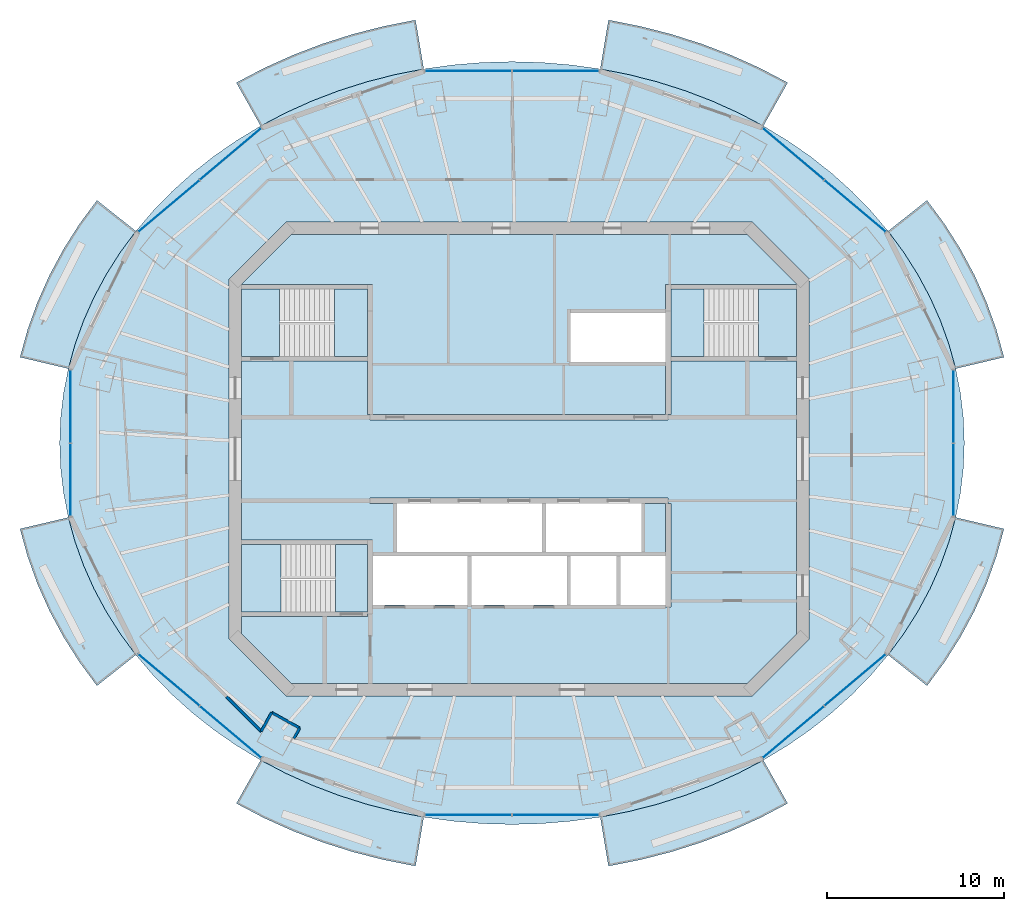
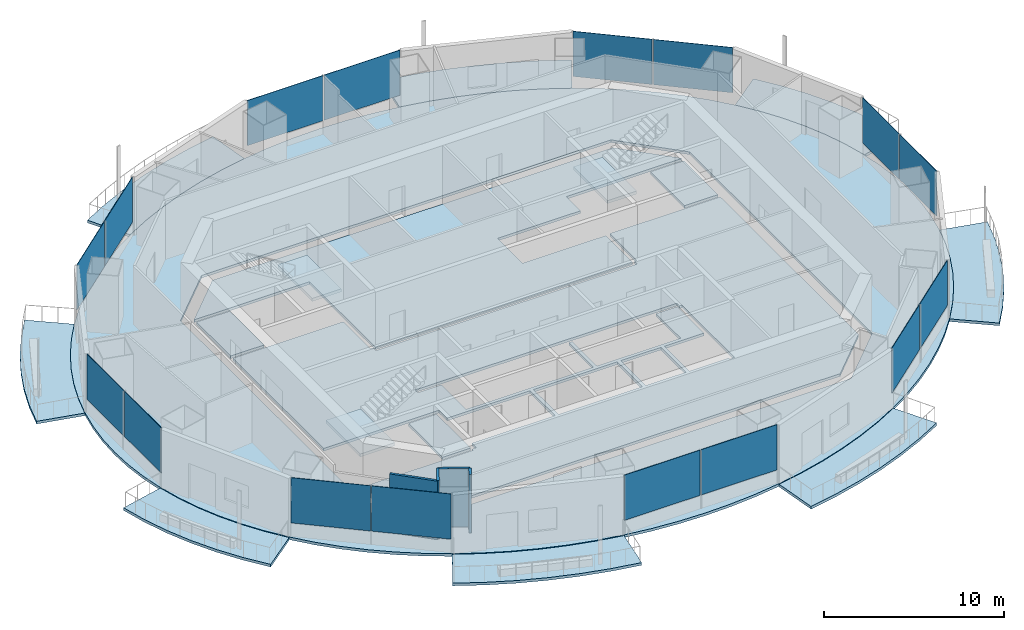
# One storey, part 7 of 15: 17 slabs, 16 plates, 4 walls, 11 elements without a shape of their own.
"""IFC4 building model written with IfcOpenShell, lengths in metres."""

import ifcopenshell
import ifcopenshell.guid

model = None  # the IFC model being written
_history = None  # IfcOwnerHistory: only IFC2X3 demands one
_inside = {}  # id of a spatial element -> (the spatial element, [elements in it])
_under = {}  # id of a project, library or spatial element -> (it, [spatial elements below it])
_declared = {}  # id of a project -> (the project, [libraries it declares])
_typed = {}  # id of a type object -> (the type object, [elements of that type])
_made_of = {}  # id of a material, layer set ... -> (it, [elements and type objects made of it])


def new_model(schema):
    """Start an empty IFC model of exactly this schema.

    Asked for "IFC4X3", IfcOpenShell would pick the latest addendum, in which some entities
    have other attributes; the version numbers below select the first issue.
    IFC2X3 requires an IfcOwnerHistory on every rooted entity: one is made here for all.
    """
    global model, _history
    if schema == "IFC4X3":
        model = ifcopenshell.file(schema_version=(4, 3, 0, 0))
    else:
        model = ifcopenshell.file(schema=schema)
    _inside.clear()
    _under.clear()
    _declared.clear()
    _typed.clear()
    _made_of.clear()
    _history = None
    if model.schema == "IFC2X3":
        org = make("IfcOrganization", Name="unknown")
        user = make(
            "IfcPersonAndOrganization",
            ThePerson=make("IfcPerson", FamilyName="unknown"),
            TheOrganization=org,
        )
        app = make(
            "IfcApplication",
            ApplicationDeveloper=org,
            Version="unknown",
            ApplicationFullName="unknown",
            ApplicationIdentifier="unknown",
        )
        _history = make(
            "IfcOwnerHistory",
            OwningUser=user,
            OwningApplication=app,
            ChangeAction="ADDED",
            CreationDate=0,
        )
    return model


def make(cls, **values):
    """One entity of the class cls with the attributes given. An attribute that is None is left unset."""
    return model.create_entity(
        cls, **{name: value for name, value in values.items() if value is not None}
    )


def rooted(cls, **values):
    """An entity with a GlobalId (a new one), such as an element, a storey or a relation."""
    return make(cls, GlobalId=ifcopenshell.guid.new(), OwnerHistory=_history, **values)


def si_unit(unit_type, name, prefix=None):
    """IfcSIUnit, for example si_unit("LENGTHUNIT", "METRE", prefix="MILLI")."""
    return make("IfcSIUnit", UnitType=unit_type, Prefix=prefix, Name=name)


def assignment(units):
    """IfcUnitAssignment: the units of a project."""
    return None if units is None else make("IfcUnitAssignment", Units=units)


def point(xyz):
    """IfcCartesianPoint."""
    return None if xyz is None else make("IfcCartesianPoint", Coordinates=xyz)


def direction(xyz):
    """IfcDirection."""
    return None if xyz is None else make("IfcDirection", DirectionRatios=xyz)


def frame(location, z_axis=None, x_axis=None):
    """IfcAxis2Placement3D, a coordinate frame: its origin and axes. An axis left out is left unset."""
    return make(
        "IfcAxis2Placement3D",
        Location=point(location),
        Axis=direction(z_axis),
        RefDirection=direction(x_axis),
    )


def frame_2d(location, x_axis=None):
    """IfcAxis2Placement2D, a coordinate frame in the plane: its origin and x axis."""
    return make(
        "IfcAxis2Placement2D", Location=point(location), RefDirection=direction(x_axis)
    )


def origin():
    """The frame at (0, 0, 0) with its axes left unset."""
    return frame((0.0, 0.0, 0.0))


def origin_2d():
    """The frame at (0, 0) in the plane with its x axis left unset."""
    return frame_2d((0.0, 0.0))


def place(relative_to, where):
    """IfcLocalPlacement: puts the frame where relative to a parent placement (None: the world)."""
    return make(
        "IfcLocalPlacement", PlacementRelTo=relative_to, RelativePlacement=where
    )


def context(
    kind, dimensions, precision=None, world=None, true_north=None, identifier=None
):
    """IfcGeometricRepresentationContext, for example the 3D "Model" context."""
    return make(
        "IfcGeometricRepresentationContext",
        ContextIdentifier=identifier,
        ContextType=kind,
        CoordinateSpaceDimension=dimensions,
        Precision=precision,
        WorldCoordinateSystem=world,
        TrueNorth=true_north,
    )


def subcontext(parent, identifier, kind, view, scale=None):
    """IfcGeometricRepresentationSubContext, for example "Body" below "Model"."""
    return make(
        "IfcGeometricRepresentationSubContext",
        ContextIdentifier=identifier,
        ContextType=kind,
        ParentContext=parent,
        TargetScale=scale,
        TargetView=view,
    )


def project(units=None, contexts=None):
    """IfcProject with its units and contexts."""
    return rooted(
        "IfcProject",
        Name="project",
        RepresentationContexts=contexts,
        UnitsInContext=assignment(units),
    )


def spatial(cls, under=None, at=None, **own):
    """A site, building, storey or space (cls), placed at a placement, below another one or the project."""
    s = rooted(cls, ObjectPlacement=at, **own)
    if under is not None:
        _under.setdefault(under.id(), (under, []))[1].append(s)
    return s


def polyline(points):
    """IfcPolyline through the points."""
    return make("IfcPolyline", Points=[point(p) for p in points])


def profile(cls, at=None, kind="AREA", **sizes):
    """A parametric profile (cls). Its sizes go by their IFC names, for example OverallWidth=200.0."""
    return make(cls, ProfileType=kind, Position=at, **sizes)


def rectangle(**sizes):
    """IfcRectangleProfileDef."""
    return profile("IfcRectangleProfileDef", **sizes)


def outline(outer, holes=None, kind="AREA"):
    """IfcArbitraryClosedProfileDef: a profile drawn as a closed curve; with holes, ...WithVoids."""
    if holes is None:
        return make("IfcArbitraryClosedProfileDef", ProfileType=kind, OuterCurve=outer)
    return make(
        "IfcArbitraryProfileDefWithVoids",
        ProfileType=kind,
        OuterCurve=outer,
        InnerCurves=holes,
    )


def extrude(swept, where, along, depth):
    """IfcExtrudedAreaSolid: the profile swept, set in the frame where, extruded along a direction by depth."""
    return make(
        "IfcExtrudedAreaSolid",
        SweptArea=swept,
        Position=where,
        ExtrudedDirection=direction(along),
        Depth=depth,
    )


def shape(context_of_items, identifier, shape_type, items):
    """IfcShapeRepresentation: the items that make up one representation, for example the "Body"."""
    return make(
        "IfcShapeRepresentation",
        ContextOfItems=context_of_items,
        RepresentationIdentifier=identifier,
        RepresentationType=shape_type,
        Items=items,
    )


def material(Name=None, Category=None):
    """IfcMaterial."""
    return make("IfcMaterial", Name=Name, Category=Category)


def layer(
    of_material, thickness, ventilated=None, Name=None, Category=None, Priority=None
):
    """IfcMaterialLayer: one layer of a wall or slab, of a material (None: an air gap)."""
    return make(
        "IfcMaterialLayer",
        Material=of_material,
        LayerThickness=thickness,
        IsVentilated=ventilated,
        Name=Name,
        Category=Category,
        Priority=Priority,
    )


def layer_set(layers, Name=None):
    """IfcMaterialLayerSet."""
    return make("IfcMaterialLayerSet", MaterialLayers=layers, LayerSetName=Name)


def made_of(thing, what):
    """Note that an element or type object is made of a material, layer set ...; save() writes the relation."""
    if what is not None:
        _made_of.setdefault(what.id(), (what, []))[1].append(thing)
    return thing


def type_object(cls, material=None, **own):
    """A type object (cls), such as IfcWallType, which elements share."""
    return made_of(rooted(cls, **own), material)


def element(
    cls,
    number,
    at=None,
    inside=None,
    cuts=None,
    type_object=None,
    material=None,
    context=None,
    identifier="Body",
    shape_type=None,
    held_by="IfcProductDefinitionShape",
    body=None,
    shapes=None,
    **own,
):
    """One element of the class cls, such as IfcWall. Its Tag is "e" and its number.

    at: its placement. inside: the storey or other place that contains it. cuts: it is an
    opening in that element (IfcRelVoidsElement). A single representation is given by context,
    identifier, shape_type and body (its items); several are given by shapes. held_by: the class
    of the entity that holds the representations. save() writes the other relations.
    """
    e = rooted(cls, Tag="e%d" % number, ObjectPlacement=at, **own)
    if body is not None:
        shapes = [shape(context, identifier, shape_type, body)]
    if shapes is not None:
        e.Representation = make(held_by, Representations=shapes)
    if inside is not None:
        _inside.setdefault(inside.id(), (inside, []))[1].append(e)
    if cuts is not None:
        rooted(
            "IfcRelVoidsElement", RelatingBuildingElement=cuts, RelatedOpeningElement=e
        )
    if type_object is not None:
        _typed.setdefault(type_object.id(), (type_object, []))[1].append(e)
    return made_of(e, material)


def aggregate(whole, parts):
    """IfcRelAggregates: a whole, such as a stair, and the parts it consists of."""
    return rooted("IfcRelAggregates", RelatingObject=whole, RelatedObjects=parts)


def save(model, path):
    """Write the relations noted so far, then the file.

    IfcRelAggregates (storeys below a building ...), IfcRelContainedInSpatialStructure (elements
    in a storey), IfcRelDefinesByType, IfcRelAssociatesMaterial and IfcRelDeclares: one each for
    every whole, place, type object, material and project.
    """
    for whole, parts in _under.values():
        aggregate(whole, parts)
    for where, things in _inside.values():
        rooted(
            "IfcRelContainedInSpatialStructure",
            RelatedElements=things,
            RelatingStructure=where,
        )
    for kind, things in _typed.values():
        rooted("IfcRelDefinesByType", RelatedObjects=things, RelatingType=kind)
    for what, things in _made_of.values():
        rooted("IfcRelAssociatesMaterial", RelatedObjects=things, RelatingMaterial=what)
    for by, libraries in _declared.values():
        rooted("IfcRelDeclares", RelatingContext=by, RelatedDefinitions=libraries)
    model.write(path)


model = new_model("IFC4")

# Units and contexts
model_context = context("Model", 3, precision=1e-05, world=origin(), true_north=direction((0.0, 1.0)))
body_context = subcontext(model_context, "Body", "Model", "MODEL_VIEW")
ifc_project = project(units=[si_unit("LENGTHUNIT", "METRE"), si_unit("AREAUNIT", "SQUARE_METRE"), si_unit("VOLUMEUNIT", "CUBIC_METRE"), si_unit("PLANEANGLEUNIT", "RADIAN"), si_unit("MASSUNIT", "GRAM", prefix="KILO")], contexts=[model_context])

# Site, building, storey
site_placement = place(None, origin())
site = spatial("IfcSite", under=ifc_project, at=site_placement, CompositionType="ELEMENT")
building_placement = place(site_placement, origin())
building = spatial("IfcBuilding", under=site, at=building_placement, Name="Marenthal Gate Tower", CompositionType="ELEMENT")
storey_placement = place(building_placement, frame((0.0, 0.0, 388.25)))
storey = spatial("IfcBuildingStorey", under=building, at=storey_placement, Name="L88", CompositionType="ELEMENT", Elevation=388.25)

# Slabs
ifc_material_1 = material(Name="Concrete 40 MPa", Category="concrete")
ifc_layer_1 = layer(ifc_material_1, 0.179931640625)
ifc_layer_set_1 = layer_set([ifc_layer_1], Name="Balcony deck 180")
slab_type_1 = type_object("IfcSlabType", Name="Balcony deck 180", PredefinedType="USERDEFINED", material=ifc_layer_set_1)
slab_1_placement = place(storey_placement, frame((0.0, 0.0, -0.219970703125)))
element("IfcSlab", 1, at=slab_1_placement, inside=storey, type_object=slab_type_1, Name="Balcony deck L88 bay 1", ObjectType="BALCONY", PredefinedType="USERDEFINED", context=body_context, shape_type="SweptSolid", body=[
    extrude(outline(polyline([(24.610107421875, 5.094482421875), (24.231201171875, 6.464599609375), (23.74658203125, 7.810791015625), (23.158935546875, 9.127685546875), (22.47021484375, 10.4091796875), (21.68359375, 11.64990234375), (20.802490234375, 12.8447265625), (22.996826171875, 14.583984375), (23.993896484375, 13.23193359375), (24.88720703125, 11.82275390625), (25.672119140625, 10.3623046875), (26.343994140625, 8.856689453125), (26.899658203125, 7.312744140625), (27.335205078125, 5.7373046875), (24.610107421875, 5.094482421875)])), origin(), (0.0, 0.0, 1.0), 0.179931640625),
])
slab_2_placement = place(storey_placement, frame((0.0, 0.0, -0.219970703125)))
element("IfcSlab", 2, at=slab_2_placement, inside=storey, type_object=slab_type_1, Name="Balcony deck L88 bay 3", ObjectType="BALCONY", PredefinedType="USERDEFINED", context=body_context, shape_type="SweptSolid", body=[
    extrude(outline(polyline([(13.76708984375, 18.776611328125), (12.35009765625, 19.51953125), (10.87841796875, 20.182861328125), (9.3583984375, 20.763427734375), (7.796630859375, 21.259033203125), (6.199951171875, 21.66748046875), (4.57470703125, 21.98681640625), (5.037841796875, 24.748291015625), (6.81689453125, 24.398681640625), (8.567138671875, 23.950927734375), (10.281494140625, 23.40673828125), (11.953369140625, 22.768310546875), (13.575439453125, 22.037109375), (15.141357421875, 21.216064453125), (13.76708984375, 18.776611328125)])), origin(), (0.0, 0.0, 1.0), 0.179931640625),
])
slab_3_placement = place(storey_placement, frame((0.0, 0.0, -0.219970703125)))
element("IfcSlab", 3, at=slab_3_placement, inside=storey, type_object=slab_type_1, Name="Balcony deck L88 bay 5", ObjectType="BALCONY", PredefinedType="USERDEFINED", context=body_context, shape_type="SweptSolid", body=[
    extrude(outline(polyline([(-5.374755859375, 21.98681640625), (-7.0, 21.66748046875), (-8.5966796875, 21.259033203125), (-10.158447265625, 20.763427734375), (-11.678466796875, 20.182861328125), (-13.14990234375, 19.51953125), (-14.56689453125, 18.776611328125), (-15.94140625, 21.216064453125), (-14.37548828125, 22.037109375), (-12.75341796875, 22.768310546875), (-11.08154296875, 23.40673828125), (-9.3671875, 23.950927734375), (-7.616943359375, 24.398681640625), (-5.837890625, 24.748291015625), (-5.374755859375, 21.98681640625)])), origin(), (0.0, 0.0, 1.0), 0.179931640625),
])
slab_4_placement = place(storey_placement, frame((0.0, 0.0, -0.219970703125)))
element("IfcSlab", 4, at=slab_4_placement, inside=storey, type_object=slab_type_1, Name="Balcony deck L88 bay 7", ObjectType="BALCONY", PredefinedType="USERDEFINED", context=body_context, shape_type="SweptSolid", body=[
    extrude(outline(polyline([(-21.6025390625, 12.8447265625), (-22.483642578125, 11.64990234375), (-23.270263671875, 10.4091796875), (-23.958984375, 9.127685546875), (-24.546630859375, 7.810791015625), (-25.031005859375, 6.464599609375), (-25.409912109375, 5.094482421875), (-28.13525390625, 5.7373046875), (-27.69970703125, 7.312744140625), (-27.14404296875, 8.856689453125), (-26.471923828125, 10.3623046875), (-25.687255859375, 11.82275390625), (-24.7939453125, 13.23193359375), (-23.796875, 14.583984375), (-21.6025390625, 12.8447265625)])), origin(), (0.0, 0.0, 1.0), 0.179931640625),
])
slab_5_placement = place(storey_placement, frame((0.0, 0.0, -0.219970703125)))
element("IfcSlab", 5, at=slab_5_placement, inside=storey, type_object=slab_type_1, Name="Balcony deck L88 bay 9", ObjectType="BALCONY", PredefinedType="USERDEFINED", context=body_context, shape_type="SweptSolid", body=[
    extrude(outline(polyline([(-25.409912109375, -3.29443359375), (-25.031005859375, -4.66455078125), (-24.546630859375, -6.010986328125), (-23.958984375, -7.32763671875), (-23.270263671875, -8.609130859375), (-22.483642578125, -9.85009765625), (-21.6025390625, -11.044921875), (-23.796875, -12.783935546875), (-24.7939453125, -11.431884765625), (-25.687255859375, -10.02294921875), (-26.471923828125, -8.562255859375), (-27.14404296875, -7.056640625), (-27.69970703125, -5.5126953125), (-28.13525390625, -3.937255859375), (-25.409912109375, -3.29443359375)])), origin(), (0.0, 0.0, 1.0), 0.179931640625),
])
slab_6_placement = place(storey_placement, frame((0.0, 0.0, -0.219970703125)))
element("IfcSlab", 6, at=slab_6_placement, inside=storey, type_object=slab_type_1, Name="Balcony deck L88 bay 11", ObjectType="BALCONY", PredefinedType="USERDEFINED", context=body_context, shape_type="SweptSolid", body=[
    extrude(outline(polyline([(-14.56689453125, -16.9765625), (-13.14990234375, -17.719482421875), (-11.678466796875, -18.3828125), (-10.158447265625, -18.96337890625), (-8.5966796875, -19.458984375), (-7.0, -19.867431640625), (-5.374755859375, -20.18701171875), (-5.837890625, -22.9482421875), (-7.616943359375, -22.5986328125), (-9.3671875, -22.15087890625), (-11.08154296875, -21.60693359375), (-12.75341796875, -20.96826171875), (-14.37548828125, -20.237060546875), (-15.94140625, -19.416015625), (-14.56689453125, -16.9765625)])), origin(), (0.0, 0.0, 1.0), 0.179931640625),
])
slab_7_placement = place(storey_placement, frame((0.0, 0.0, -0.219970703125)))
element("IfcSlab", 7, at=slab_7_placement, inside=storey, type_object=slab_type_1, Name="Balcony deck L88 bay 13", ObjectType="BALCONY", PredefinedType="USERDEFINED", context=body_context, shape_type="SweptSolid", body=[
    extrude(outline(polyline([(4.57470703125, -20.18701171875), (6.199951171875, -19.867431640625), (7.796630859375, -19.458984375), (9.3583984375, -18.96337890625), (10.87841796875, -18.3828125), (12.35009765625, -17.719482421875), (13.76708984375, -16.9765625), (15.141357421875, -19.416015625), (13.575439453125, -20.237060546875), (11.953369140625, -20.96826171875), (10.281494140625, -21.60693359375), (8.567138671875, -22.15087890625), (6.81689453125, -22.5986328125), (5.037841796875, -22.9482421875), (4.57470703125, -20.18701171875)])), origin(), (0.0, 0.0, 1.0), 0.179931640625),
])
slab_8_placement = place(storey_placement, frame((0.0, 0.0, -0.219970703125)))
element("IfcSlab", 8, at=slab_8_placement, inside=storey, type_object=slab_type_1, Name="Balcony deck L88 bay 15", ObjectType="BALCONY", PredefinedType="USERDEFINED", context=body_context, shape_type="SweptSolid", body=[
    extrude(outline(polyline([(20.802490234375, -11.044921875), (21.68359375, -9.85009765625), (22.47021484375, -8.609130859375), (23.158935546875, -7.32763671875), (23.74658203125, -6.010986328125), (24.231201171875, -4.66455078125), (24.610107421875, -3.29443359375), (27.335205078125, -3.937255859375), (26.899658203125, -5.5126953125), (26.343994140625, -7.056640625), (25.672119140625, -8.562255859375), (24.88720703125, -10.02294921875), (23.993896484375, -11.431884765625), (22.996826171875, -12.783935546875), (20.802490234375, -11.044921875)])), origin(), (0.0, 0.0, 1.0), 0.179931640625),
])
ifc_material_2 = material(Name="Concrete 50 MPa", Category="concrete")
ifc_layer_2 = layer(ifc_material_2, 0.179931640625)
ifc_layer_set_2 = layer_set([ifc_layer_2], Name="Core floor slab 180")
slab_type_2 = type_object("IfcSlabType", Name="Core floor slab 180", PredefinedType="FLOOR", material=ifc_layer_set_2)
slab_9_placement = place(storey_placement, frame((0.0, 0.0, -0.179931640625)))
element("IfcSlab", 9, at=slab_9_placement, inside=storey, type_object=slab_type_2, Name="Core floor L88", PredefinedType="FLOOR", context=body_context, shape_type="SweptSolid", body=[
    extrude(outline(polyline([(12.85498046875, -12.64990234375), (-12.85498046875, -12.64990234375), (-15.64990234375, -9.85498046875), (-15.64990234375, -8.875), (-8.550048828125, -8.875), (-8.550048828125, -8.75), (-8.25, -8.75), (-8.25, -8.239990234375), (-5.60009765625, -8.239990234375), (-2.909912109375, -8.239990234375), (-2.909912109375, -5.4599609375), (-5.60009765625, -5.4599609375), (-8.25, -5.4599609375), (-8.25, -4.574951171875), (-8.550048828125, -4.574951171875), (-15.64990234375, -4.574951171875), (-15.64990234375, 5.52490234375), (-8.550048828125, 5.52490234375), (-8.550048828125, 2.5), (-8.39990234375, 2.5), (-8.39990234375, 2.199951171875), (8.39990234375, 2.199951171875), (8.39990234375, 2.5), (8.550048828125, 2.5), (8.550048828125, 5.52490234375), (15.64990234375, 5.52490234375), (15.64990234375, -9.85498046875), (12.85498046875, -12.64990234375)]), holes=[polyline([(0.0, -8.239990234375), (2.68994140625, -8.239990234375), (2.68994140625, -5.4599609375), (0.0, -5.4599609375), (-2.68994140625, -5.4599609375), (-2.68994140625, -8.239990234375), (0.0, -8.239990234375)]), polyline([(1.2900390625, -5.239990234375), (1.2900390625, -2.5), (1.510009765625, -2.5), (1.510009765625, -5.239990234375), (4.199951171875, -5.239990234375), (6.889892578125, -5.239990234375), (6.889892578125, -2.5), (8.25, -2.5), (8.25, -5.4599609375), (5.7099609375, -5.4599609375), (5.7099609375, -8.239990234375), (8.25, -8.239990234375), (8.25, -8.35009765625), (8.550048828125, -8.35009765625), (8.550048828125, -2.5), (8.39990234375, -2.5), (8.39990234375, -2.199951171875), (-8.39990234375, -2.199951171875), (-8.39990234375, -2.5), (-6.889892578125, -2.5), (-6.889892578125, -5.239990234375), (-4.199951171875, -5.239990234375), (-1.39990234375, -5.239990234375), (1.2900390625, -5.239990234375)]), polyline([(5.489990234375, -5.4599609375), (2.909912109375, -5.4599609375), (2.909912109375, -8.239990234375), (5.489990234375, -8.239990234375), (5.489990234375, -5.4599609375)])]), origin(), (0.0, 0.0, 1.0), 0.179931640625),
])
slab_10_placement = place(storey_placement, frame((0.0, 0.0, -0.179931640625)))
element("IfcSlab", 10, at=slab_10_placement, inside=storey, type_object=slab_type_2, Name="Core floor L88", PredefinedType="FLOOR", context=body_context, shape_type="SweptSolid", body=[
    extrude(outline(polyline([(15.64990234375, 5.77490234375), (13.5, 5.77490234375), (13.5, 9.574951171875), (15.64990234375, 9.574951171875), (15.64990234375, 5.77490234375)])), origin(), (0.0, 0.0, 1.0), 0.179931640625),
])
slab_11_placement = place(storey_placement, frame((0.0, 0.0, -0.179931640625)))
element("IfcSlab", 11, at=slab_11_placement, inside=storey, type_object=slab_type_2, Name="Core floor L88", PredefinedType="FLOOR", context=body_context, shape_type="SweptSolid", body=[
    extrude(outline(polyline([(15.64990234375, 9.824951171875), (8.550048828125, 9.824951171875), (8.25, 9.824951171875), (8.25, 8.35009765625), (8.25, 8.239990234375), (5.60009765625, 8.239990234375), (2.909912109375, 8.239990234375), (2.909912109375, 5.4599609375), (5.60009765625, 5.4599609375), (8.25, 5.4599609375), (8.25, 2.5), (-8.25, 2.5), (-8.25, 8.35009765625), (-8.25, 9.824951171875), (-8.550048828125, 9.824951171875), (-15.64990234375, 9.824951171875), (-15.64990234375, 9.85498046875), (-12.85498046875, 12.64990234375), (12.85498046875, 12.64990234375), (15.64990234375, 9.85498046875), (15.64990234375, 9.824951171875)])), origin(), (0.0, 0.0, 1.0), 0.179931640625),
])
slab_12_placement = place(storey_placement, frame((0.0, 0.0, -0.179931640625)))
element("IfcSlab", 12, at=slab_12_placement, inside=storey, type_object=slab_type_2, Name="Core floor L88", PredefinedType="FLOOR", context=body_context, shape_type="SweptSolid", body=[
    extrude(outline(polyline([(-15.64990234375, 9.574951171875), (-13.5, 9.574951171875), (-13.5, 5.77490234375), (-15.64990234375, 5.77490234375), (-15.64990234375, 9.574951171875)])), origin(), (0.0, 0.0, 1.0), 0.179931640625),
])
slab_13_placement = place(storey_placement, frame((0.0, 0.0, -0.179931640625)))
element("IfcSlab", 13, at=slab_13_placement, inside=storey, type_object=slab_type_2, Name="Core floor L88", PredefinedType="FLOOR", context=body_context, shape_type="SweptSolid", body=[
    extrude(outline(polyline([(-8.550048828125, -4.824951171875), (-8.550048828125, -8.625), (-10.35009765625, -8.625), (-10.35009765625, -4.824951171875), (-8.550048828125, -4.824951171875)])), origin(), (0.0, 0.0, 1.0), 0.179931640625),
])
ifc_material_3 = material(Name="Concrete 35 MPa", Category="concrete")
ifc_layer_3 = layer(ifc_material_3, 0.179931640625)
ifc_layer_set_3 = layer_set([ifc_layer_3], Name="Floor slab 180")
slab_type_3 = type_object("IfcSlabType", Name="Floor slab 180", PredefinedType="FLOOR", material=ifc_layer_set_3)
slab_14_placement = place(storey_placement, frame((0.0, 0.0, -0.179931640625)))
element("IfcSlab", 14, at=slab_14_placement, inside=storey, type_object=slab_type_3, Name="SL-L88-01", PredefinedType="FLOOR", context=body_context, shape_type="SweptSolid", body=[
    extrude(outline(polyline([(25.10009765625, 0.89990234375), (25.04541015625, 2.30615234375), (24.8818359375, 3.706298828125), (24.610107421875, 5.094482421875), (24.231201171875, 6.464599609375), (23.74658203125, 7.810791015625), (23.158935546875, 9.127685546875), (22.47021484375, 10.4091796875), (21.68359375, 11.64990234375), (20.802490234375, 12.8447265625), (19.83056640625, 13.98828125), (18.77197265625, 15.075927734375), (17.631103515625, 16.102783203125), (16.413330078125, 17.064697265625), (15.123291015625, 17.95703125), (13.76708984375, 18.776611328125), (12.35009765625, 19.51953125), (10.87841796875, 20.182861328125), (9.3583984375, 20.763427734375), (7.796630859375, 21.259033203125), (6.199951171875, 21.66748046875), (4.57470703125, 21.98681640625), (2.928466796875, 22.216064453125), (1.267822265625, 22.35400390625), (-0.39990234375, 22.39990234375), (-2.06787109375, 22.35400390625), (-3.728515625, 22.216064453125), (-5.374755859375, 21.98681640625), (-7.0, 21.66748046875), (-8.5966796875, 21.259033203125), (-10.158447265625, 20.763427734375), (-11.678466796875, 20.182861328125), (-13.14990234375, 19.51953125), (-14.56689453125, 18.776611328125), (-15.92333984375, 17.95703125), (-17.21337890625, 17.064697265625), (-18.43115234375, 16.102783203125), (-19.572021484375, 15.075927734375), (-20.630615234375, 13.98828125), (-21.6025390625, 12.8447265625), (-22.483642578125, 11.64990234375), (-23.270263671875, 10.4091796875), (-23.958984375, 9.127685546875), (-24.546630859375, 7.810791015625), (-25.031005859375, 6.464599609375), (-25.409912109375, 5.094482421875), (-25.681884765625, 3.706298828125), (-25.845458984375, 2.30615234375), (-25.89990234375, 0.89990234375), (-25.845458984375, -0.506103515625), (-25.681884765625, -1.90625), (-25.409912109375, -3.29443359375), (-25.031005859375, -4.66455078125), (-24.546630859375, -6.010986328125), (-23.958984375, -7.32763671875), (-23.270263671875, -8.609130859375), (-22.483642578125, -9.85009765625), (-21.6025390625, -11.044921875), (-20.630615234375, -12.1884765625), (-19.572021484375, -13.27587890625), (-18.43115234375, -14.302734375), (-17.21337890625, -15.2646484375), (-15.92333984375, -16.156982421875), (-14.56689453125, -16.9765625), (-13.14990234375, -17.719482421875), (-11.678466796875, -18.3828125), (-10.158447265625, -18.96337890625), (-8.5966796875, -19.458984375), (-7.0, -19.867431640625), (-5.374755859375, -20.18701171875), (-3.728515625, -20.416015625), (-2.06787109375, -20.553955078125), (-0.39990234375, -20.60009765625), (1.267822265625, -20.553955078125), (2.928466796875, -20.416015625), (4.57470703125, -20.18701171875), (6.199951171875, -19.867431640625), (7.796630859375, -19.458984375), (9.3583984375, -18.96337890625), (10.87841796875, -18.3828125), (12.35009765625, -17.719482421875), (13.76708984375, -16.9765625), (15.123291015625, -16.156982421875), (16.413330078125, -15.2646484375), (17.631103515625, -14.302734375), (18.77197265625, -13.27587890625), (19.83056640625, -12.1884765625), (20.802490234375, -11.044921875), (21.68359375, -9.85009765625), (22.47021484375, -8.609130859375), (23.158935546875, -7.32763671875), (23.74658203125, -6.010986328125), (24.231201171875, -4.66455078125), (24.610107421875, -3.29443359375), (24.8818359375, -1.90625), (25.04541015625, -0.506103515625), (25.10009765625, 0.89990234375)]), holes=[polyline([(13.14501953125, -13.35009765625), (16.35009765625, -10.14501953125), (16.35009765625, 10.14501953125), (13.14501953125, 13.35009765625), (-13.14501953125, 13.35009765625), (-16.35009765625, 10.14501953125), (-16.35009765625, -10.14501953125), (-13.14501953125, -13.35009765625), (13.14501953125, -13.35009765625)])]), origin(), (0.0, 0.0, 1.0), 0.179931640625),
])

# Curtain wall, plates
ifc_material_4 = material(Name="Aluminium and glass", Category="aluminium")
curtain_wall_type = type_object("IfcCurtainWallType", Name="Curtain wall typical high", PredefinedType="NOTDEFINED", material=ifc_material_4)
curtain_wall_1_placement = place(storey_placement, origin())
curtain_wall_1 = element("IfcCurtainWall", 15, at=curtain_wall_1_placement, inside=storey, type_object=curtain_wall_type, Name="Curtain wall L88 bay 2", PredefinedType="NOTDEFINED")
ifc_material_5 = material(Name="Glass, laminated insulating unit", Category="glass")
ifc_layer_4 = layer(ifc_material_5, 0.031982421875)
ifc_layer_set_4 = layer_set([ifc_layer_4], Name="Glass panel 32 typical high")
plate_type = type_object("IfcPlateType", Name="Glass panel 32 typical high", PredefinedType="CURTAIN_PANEL", material=ifc_layer_set_4)
plate_1_placement = place(storey_placement, frame((18.940673828125, 14.262451171875, 0.89990234375), z_axis=(0.0, 0.0, 1.0), x_axis=(-0.764802142616, 0.644265226944, 0.0)))
plate_1 = element("IfcPlate", 16, at=plate_1_placement, type_object=plate_type, Name="Glass panel L88 bay 2.1", PredefinedType="CURTAIN_PANEL", context=body_context, shape_type="SweptSolid", body=[
    extrude(rectangle(XDim=4.48779296875, YDim=0.031982421875, at=origin_2d()), origin(), (0.0, 0.0, 1.0), 3.070068359375),
])
plate_2_placement = place(storey_placement, frame((15.46240234375, 17.1923828125, 0.89990234375), z_axis=(0.0, 0.0, 1.0), x_axis=(-0.764802142616, 0.644265226944, 0.0)))
plate_2 = element("IfcPlate", 17, at=plate_2_placement, type_object=plate_type, Name="Glass panel L88 bay 2.2", PredefinedType="CURTAIN_PANEL", context=body_context, shape_type="SweptSolid", body=[
    extrude(rectangle(XDim=4.48779296875, YDim=0.031982421875, at=origin_2d()), origin(), (0.0, 0.0, 1.0), 3.070068359375),
])
aggregate(curtain_wall_1, [plate_1, plate_2])

curtain_wall_2_placement = place(storey_placement, origin())
curtain_wall_2 = element("IfcCurtainWall", 18, at=curtain_wall_2_placement, inside=storey, type_object=curtain_wall_type, Name="Curtain wall L88 bay 4", PredefinedType="NOTDEFINED")
plate_3_placement = place(storey_placement, frame((2.060791015625, 21.869140625, 0.89990234375), z_axis=(0.0, 0.0, 1.0), x_axis=(-1.0, 0.0, 0.0)))
plate_3 = element("IfcPlate", 19, at=plate_3_placement, type_object=plate_type, Name="Glass panel L88 bay 4.1", PredefinedType="CURTAIN_PANEL", context=body_context, shape_type="SweptSolid", body=[
    extrude(rectangle(XDim=4.861328125, YDim=0.031982421875, at=origin_2d()), origin(), (0.0, 0.0, 1.0), 3.070068359375),
])
plate_4_placement = place(storey_placement, frame((-2.860595703125, 21.869140625, 0.89990234375), z_axis=(0.0, 0.0, 1.0), x_axis=(-1.0, 0.0, 0.0)))
plate_4 = element("IfcPlate", 20, at=plate_4_placement, type_object=plate_type, Name="Glass panel L88 bay 4.2", PredefinedType="CURTAIN_PANEL", context=body_context, shape_type="SweptSolid", body=[
    extrude(rectangle(XDim=4.861328125, YDim=0.031982421875, at=origin_2d()), origin(), (0.0, 0.0, 1.0), 3.070068359375),
])
aggregate(curtain_wall_2, [plate_3, plate_4])

curtain_wall_3_placement = place(storey_placement, origin())
curtain_wall_3 = element("IfcCurtainWall", 21, at=curtain_wall_3_placement, inside=storey, type_object=curtain_wall_type, Name="Curtain wall L88 bay 6", PredefinedType="NOTDEFINED")
plate_5_placement = place(storey_placement, frame((-16.262451171875, 17.1923828125, 0.89990234375), z_axis=(0.0, 0.0, 1.0), x_axis=(-0.764802142616, -0.644265226944, 0.0)))
plate_5 = element("IfcPlate", 22, at=plate_5_placement, type_object=plate_type, Name="Glass panel L88 bay 6.1", PredefinedType="CURTAIN_PANEL", context=body_context, shape_type="SweptSolid", body=[
    extrude(rectangle(XDim=4.48779296875, YDim=0.031982421875, at=origin_2d()), origin(), (0.0, 0.0, 1.0), 3.070068359375),
])
plate_6_placement = place(storey_placement, frame((-19.74072265625, 14.262451171875, 0.89990234375), z_axis=(0.0, 0.0, 1.0), x_axis=(-0.764802142616, -0.644265226944, 0.0)))
plate_6 = element("IfcPlate", 23, at=plate_6_placement, type_object=plate_type, Name="Glass panel L88 bay 6.2", PredefinedType="CURTAIN_PANEL", context=body_context, shape_type="SweptSolid", body=[
    extrude(rectangle(XDim=4.48779296875, YDim=0.031982421875, at=origin_2d()), origin(), (0.0, 0.0, 1.0), 3.070068359375),
])
aggregate(curtain_wall_3, [plate_5, plate_6])

curtain_wall_4_placement = place(storey_placement, origin())
curtain_wall_4 = element("IfcCurtainWall", 24, at=curtain_wall_4_placement, inside=storey, type_object=curtain_wall_type, Name="Curtain wall L88 bay 8", PredefinedType="NOTDEFINED")
plate_7_placement = place(storey_placement, frame((-25.292236328125, 2.970458984375, 0.89990234375), z_axis=(0.0, 0.0, 1.0), x_axis=(0.0, -1.0, 0.0)))
plate_7 = element("IfcPlate", 25, at=plate_7_placement, type_object=plate_type, Name="Glass panel L88 bay 8.1", PredefinedType="CURTAIN_PANEL", context=body_context, shape_type="SweptSolid", body=[
    extrude(rectangle(XDim=4.0810546875, YDim=0.031982421875, at=origin_2d()), origin(), (0.0, 0.0, 1.0), 3.070068359375),
])
plate_8_placement = place(storey_placement, frame((-25.292236328125, -1.17041015625, 0.89990234375), z_axis=(0.0, 0.0, 1.0), x_axis=(0.0, -1.0, 0.0)))
plate_8 = element("IfcPlate", 26, at=plate_8_placement, type_object=plate_type, Name="Glass panel L88 bay 8.2", PredefinedType="CURTAIN_PANEL", context=body_context, shape_type="SweptSolid", body=[
    extrude(rectangle(XDim=4.0810546875, YDim=0.031982421875, at=origin_2d()), origin(), (0.0, 0.0, 1.0), 3.070068359375),
])
aggregate(curtain_wall_4, [plate_7, plate_8])

curtain_wall_5_placement = place(storey_placement, origin())
curtain_wall_5 = element("IfcCurtainWall", 27, at=curtain_wall_5_placement, inside=storey, type_object=curtain_wall_type, Name="Curtain wall L88 bay 10", PredefinedType="NOTDEFINED")
plate_9_placement = place(storey_placement, frame((-19.74072265625, -12.46240234375, 0.89990234375), z_axis=(0.0, 0.0, 1.0), x_axis=(0.764802142616, -0.644265226944, 0.0)))
plate_9 = element("IfcPlate", 28, at=plate_9_placement, type_object=plate_type, Name="Glass panel L88 bay 10.1", PredefinedType="CURTAIN_PANEL", context=body_context, shape_type="SweptSolid", body=[
    extrude(rectangle(XDim=4.48779296875, YDim=0.031982421875, at=origin_2d()), origin(), (0.0, 0.0, 1.0), 3.070068359375),
])
plate_10_placement = place(storey_placement, frame((-16.262451171875, -15.392578125, 0.89990234375), z_axis=(0.0, 0.0, 1.0), x_axis=(0.764802142616, -0.644265226944, 0.0)))
plate_10 = element("IfcPlate", 29, at=plate_10_placement, type_object=plate_type, Name="Glass panel L88 bay 10.2", PredefinedType="CURTAIN_PANEL", context=body_context, shape_type="SweptSolid", body=[
    extrude(rectangle(XDim=4.48779296875, YDim=0.031982421875, at=origin_2d()), origin(), (0.0, 0.0, 1.0), 3.070068359375),
])
aggregate(curtain_wall_5, [plate_9, plate_10])

curtain_wall_6_placement = place(storey_placement, origin())
curtain_wall_6 = element("IfcCurtainWall", 30, at=curtain_wall_6_placement, inside=storey, type_object=curtain_wall_type, Name="Curtain wall L88 bay 12", PredefinedType="NOTDEFINED")
plate_11_placement = place(storey_placement, frame((-2.860595703125, -20.069091796875, 0.89990234375), z_axis=(0.0, 0.0, 1.0), x_axis=(1.0, 0.0, 0.0)))
plate_11 = element("IfcPlate", 31, at=plate_11_placement, type_object=plate_type, Name="Glass panel L88 bay 12.1", PredefinedType="CURTAIN_PANEL", context=body_context, shape_type="SweptSolid", body=[
    extrude(rectangle(XDim=4.861328125, YDim=0.031982421875, at=origin_2d()), origin(), (0.0, 0.0, 1.0), 3.070068359375),
])
plate_12_placement = place(storey_placement, frame((2.060791015625, -20.069091796875, 0.89990234375), z_axis=(0.0, 0.0, 1.0), x_axis=(1.0, 0.0, 0.0)))
plate_12 = element("IfcPlate", 32, at=plate_12_placement, type_object=plate_type, Name="Glass panel L88 bay 12.2", PredefinedType="CURTAIN_PANEL", context=body_context, shape_type="SweptSolid", body=[
    extrude(rectangle(XDim=4.861328125, YDim=0.031982421875, at=origin_2d()), origin(), (0.0, 0.0, 1.0), 3.070068359375),
])
aggregate(curtain_wall_6, [plate_11, plate_12])

curtain_wall_7_placement = place(storey_placement, origin())
curtain_wall_7 = element("IfcCurtainWall", 33, at=curtain_wall_7_placement, inside=storey, type_object=curtain_wall_type, Name="Curtain wall L88 bay 14", PredefinedType="NOTDEFINED")
plate_13_placement = place(storey_placement, frame((15.46240234375, -15.392333984375, 0.89990234375), z_axis=(0.0, 0.0, 1.0), x_axis=(0.764802142616, 0.644265226944, 0.0)))
plate_13 = element("IfcPlate", 34, at=plate_13_placement, type_object=plate_type, Name="Glass panel L88 bay 14.1", PredefinedType="CURTAIN_PANEL", context=body_context, shape_type="SweptSolid", body=[
    extrude(rectangle(XDim=4.48779296875, YDim=0.031982421875, at=origin_2d()), origin(), (0.0, 0.0, 1.0), 3.070068359375),
])
plate_14_placement = place(storey_placement, frame((18.940673828125, -12.46240234375, 0.89990234375), z_axis=(0.0, 0.0, 1.0), x_axis=(0.764802142616, 0.644265226944, 0.0)))
plate_14 = element("IfcPlate", 35, at=plate_14_placement, type_object=plate_type, Name="Glass panel L88 bay 14.2", PredefinedType="CURTAIN_PANEL", context=body_context, shape_type="SweptSolid", body=[
    extrude(rectangle(XDim=4.48779296875, YDim=0.031982421875, at=origin_2d()), origin(), (0.0, 0.0, 1.0), 3.070068359375),
])
aggregate(curtain_wall_7, [plate_13, plate_14])

curtain_wall_8_placement = place(storey_placement, origin())
curtain_wall_8 = element("IfcCurtainWall", 36, at=curtain_wall_8_placement, inside=storey, type_object=curtain_wall_type, Name="Curtain wall L88 bay 16", PredefinedType="NOTDEFINED")
plate_15_placement = place(storey_placement, frame((24.4921875, -1.17041015625, 0.89990234375), z_axis=(0.0, 0.0, 1.0), x_axis=(0.0, 1.0, 0.0)))
plate_15 = element("IfcPlate", 37, at=plate_15_placement, type_object=plate_type, Name="Glass panel L88 bay 16.1", PredefinedType="CURTAIN_PANEL", context=body_context, shape_type="SweptSolid", body=[
    extrude(rectangle(XDim=4.0810546875, YDim=0.031982421875, at=origin_2d()), origin(), (0.0, 0.0, 1.0), 3.070068359375),
])
plate_16_placement = place(storey_placement, frame((24.4921875, 2.970458984375, 0.89990234375), z_axis=(0.0, 0.0, 1.0), x_axis=(0.0, 1.0, 0.0)))
plate_16 = element("IfcPlate", 38, at=plate_16_placement, type_object=plate_type, Name="Glass panel L88 bay 16.2", PredefinedType="CURTAIN_PANEL", context=body_context, shape_type="SweptSolid", body=[
    extrude(rectangle(XDim=4.0810546875, YDim=0.031982421875, at=origin_2d()), origin(), (0.0, 0.0, 1.0), 3.070068359375),
])
aggregate(curtain_wall_8, [plate_15, plate_16])

# Stair, slab
ifc_material_6 = material(Name="Concrete 40 MPa", Category="concrete")
stair_type = type_object("IfcStairType", Name="Exit stair 1800", PredefinedType="HALF_TURN_STAIR", material=ifc_material_6)
stair_1_placement = place(storey_placement, origin())
stair_1 = element("IfcStair", 39, at=stair_1_placement, inside=storey, type_object=stair_type, Name="Stair ST1", PredefinedType="HALF_TURN_STAIR")
ifc_material_7 = material(Name="Concrete 40 MPa", Category="concrete")
ifc_layer_5 = layer(ifc_material_7, 0.199951171875)
ifc_layer_set_5 = layer_set([ifc_layer_5], Name="Stair landing 200")
slab_type_4 = type_object("IfcSlabType", Name="Stair landing 200", PredefinedType="LANDING", material=ifc_layer_set_5)
slab_15_placement = place(storey_placement, frame((0.0, 0.0, 1.875)))
slab_15 = element("IfcSlab", 40, at=slab_15_placement, type_object=slab_type_4, Name="ST1 landing 1", PredefinedType="LANDING", context=body_context, shape_type="SweptSolid", body=[
    extrude(outline(polyline([(-10.419921875, 5.77490234375), (-8.550048828125, 5.77490234375), (-8.550048828125, 9.574951171875), (-10.419921875, 9.574951171875), (-10.419921875, 5.77490234375)])), origin(), (0.0, 0.0, 1.0), 0.199951171875),
])
aggregate(stair_1, [slab_15])

stair_2_placement = place(storey_placement, origin())
stair_2 = element("IfcStair", 41, at=stair_2_placement, inside=storey, type_object=stair_type, Name="Stair ST2", PredefinedType="HALF_TURN_STAIR")
slab_16_placement = place(storey_placement, frame((0.0, 0.0, 1.875)))
slab_16 = element("IfcSlab", 42, at=slab_16_placement, type_object=slab_type_4, Name="ST2 landing 1", PredefinedType="LANDING", context=body_context, shape_type="SweptSolid", body=[
    extrude(outline(polyline([(-15.64990234375, -8.625), (-13.429931640625, -8.625), (-13.429931640625, -4.824951171875), (-15.64990234375, -4.824951171875), (-15.64990234375, -8.625)])), origin(), (0.0, 0.0, 1.0), 0.199951171875),
])
aggregate(stair_2, [slab_16])

stair_3_placement = place(storey_placement, origin())
stair_3 = element("IfcStair", 43, at=stair_3_placement, inside=storey, type_object=stair_type, Name="Stair ST3", PredefinedType="HALF_TURN_STAIR")
slab_17_placement = place(storey_placement, frame((0.0, 0.0, 1.875)))
slab_17 = element("IfcSlab", 44, at=slab_17_placement, type_object=slab_type_4, Name="ST3 landing 1", PredefinedType="LANDING", context=body_context, shape_type="SweptSolid", body=[
    extrude(outline(polyline([(8.550048828125, 5.77490234375), (10.419921875, 5.77490234375), (10.419921875, 9.574951171875), (8.550048828125, 9.574951171875), (8.550048828125, 5.77490234375)])), origin(), (0.0, 0.0, 1.0), 0.199951171875),
])
aggregate(stair_3, [slab_17])

# Walls
ifc_material_8 = material(Name="Gypsum board on steel studs", Category="steel")
ifc_layer_6 = layer(ifc_material_8, 0.14990234375)
ifc_layer_set_6 = layer_set([ifc_layer_6], Name="Partition 150")
wall_type = type_object("IfcWallType", Name="Partition 150", PredefinedType="PARTITIONING", material=ifc_layer_set_6)
wall_1_placement = place(storey_placement, frame((-14.53564453125, -15.353515625, 0.0), z_axis=(0.0, 0.0, 1.0), x_axis=(-0.707062627028, 0.707150932589, 0.0)))
element("IfcWall", 45, at=wall_1_placement, inside=storey, type_object=wall_type, Name="Partition wall 58", PredefinedType="PARTITIONING", context=body_context, shape_type="SweptSolid", body=[
    extrude(rectangle(XDim=2.7646484375, YDim=0.14990234375, at=frame_2d((1.38232421875, 0.0))), origin(), (0.0, 0.0, 1.0), 3.969970703125),
])
wall_2_placement = place(storey_placement, frame((-13.94775390625, -14.29541015625, 0.0), z_axis=(0.0, 0.0, 1.0), x_axis=(-0.485677180591, -0.874138247792, 0.0)))
element("IfcWall", 46, at=wall_2_placement, inside=storey, type_object=wall_type, Name="Partition wall 60", PredefinedType="PARTITIONING", context=body_context, shape_type="SweptSolid", body=[
    extrude(rectangle(XDim=1.21044921875, YDim=0.14990234375, at=frame_2d((0.605224609375, 0.0))), origin(), (0.0, 0.0, 1.0), 3.969970703125),
])
wall_3_placement = place(storey_placement, frame((-12.69677734375, -15.75, 0.0), z_axis=(0.0, 0.0, 1.0), x_axis=(0.485642931179, 0.874157276122, 0.0)))
element("IfcWall", 47, at=wall_3_placement, inside=storey, type_object=wall_type, Name="Partition wall 61", PredefinedType="PARTITIONING", context=body_context, shape_type="SweptSolid", body=[
    extrude(rectangle(XDim=0.66357421875, YDim=0.14990234375, at=frame_2d((0.331787109375, 0.0))), origin(), (0.0, 0.0, 1.0), 3.969970703125),
])
wall_4_placement = place(storey_placement, frame((-12.37451171875, -15.169921875, 0.0), z_axis=(0.0, 0.0, 1.0), x_axis=(-0.874042088414, 0.485850211157, 0.0)))
element("IfcWall", 48, at=wall_4_placement, inside=storey, type_object=wall_type, Name="Partition wall 62", PredefinedType="PARTITIONING", context=body_context, shape_type="SweptSolid", body=[
    extrude(rectangle(XDim=1.800048828125, YDim=0.14990234375, at=frame_2d((0.89990234375, 0.0))), origin(), (0.0, 0.0, 1.0), 3.969970703125),
])

save(model, "model.ifc")
